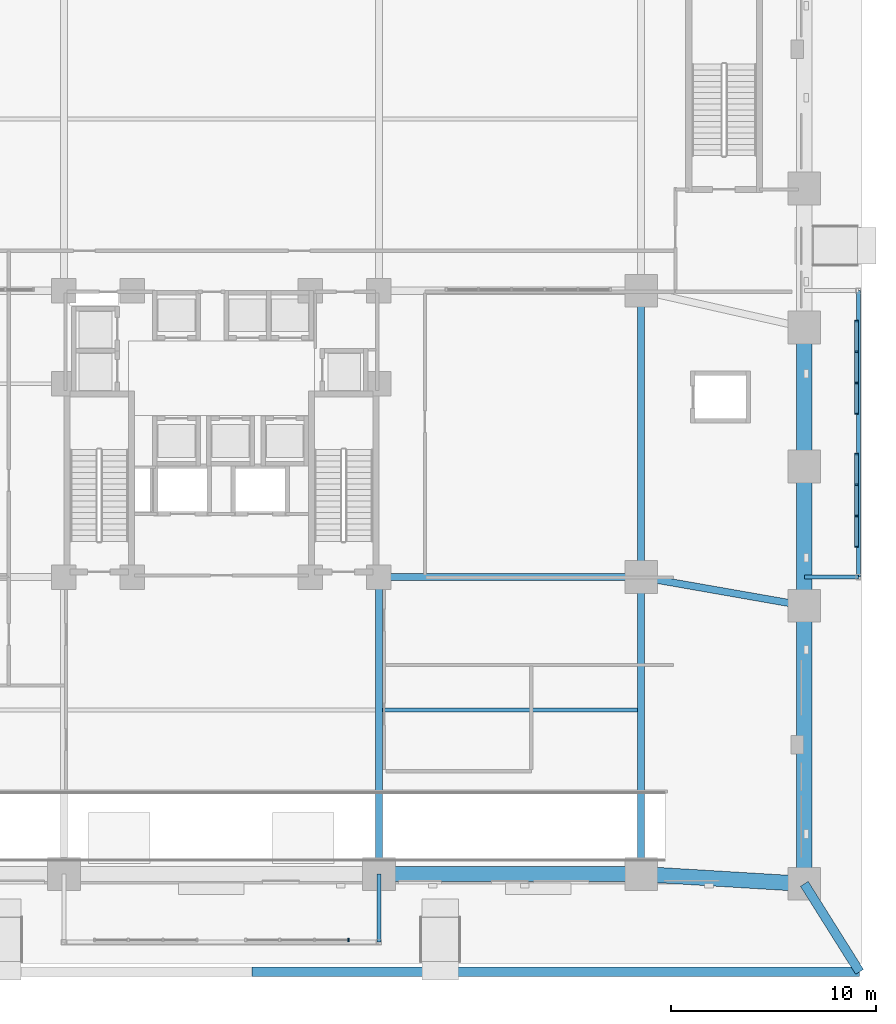
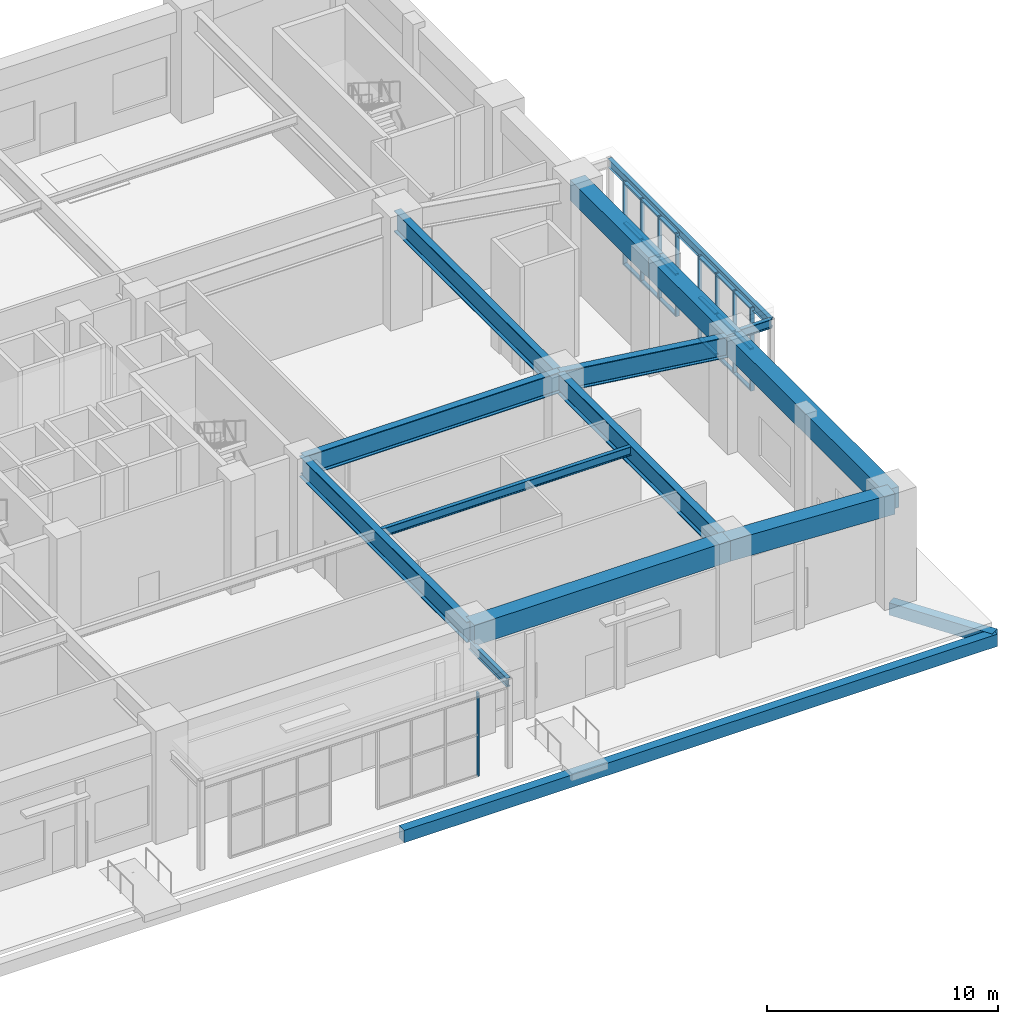
# One storey, part 8 of 24: 27 members, 16 beams, 3 elements without a shape of their own.
"""IFC4 building model written with IfcOpenShell, lengths in metres."""

from ifc_helpers import new_model, si_unit, derived_unit, direction, frame, origin, origin_2d, place, context, subcontext, project, spatial, rectangle, i_section, extrude, material, material_profile, profile_set, type_object, element, aggregate, save


model = new_model("IFC4")

# Units and contexts
model_context = context("Model", 3, precision=1e-05, world=origin(), true_north=direction((0.0, 1.0)))
body_context = subcontext(model_context, "Body", "Model", "MODEL_VIEW")
ifc_project = project(units=[si_unit("LENGTHUNIT", "METRE"), si_unit("AREAUNIT", "SQUARE_METRE"), si_unit("VOLUMEUNIT", "CUBIC_METRE"), si_unit("PLANEANGLEUNIT", "RADIAN"), si_unit("MASSUNIT", "GRAM", prefix="KILO"), derived_unit("THERMALTRANSMITTANCEUNIT", [(si_unit("MASSUNIT", "GRAM", prefix="KILO"), 1), (si_unit("TIMEUNIT", "SECOND"), -3), (si_unit("THERMODYNAMICTEMPERATUREUNIT", "KELVIN"), -1)])], contexts=[model_context])

# Site, building, storey
site_placement = place(None, origin())
site = spatial("IfcSite", under=ifc_project, at=site_placement, CompositionType="ELEMENT")
building_placement = place(site_placement, origin())
building = spatial("IfcBuilding", under=site, at=building_placement, Name="Korrvale Station Residences", CompositionType="ELEMENT")
storey_placement = place(building_placement, origin())
storey = spatial("IfcBuildingStorey", under=building, at=storey_placement, Name="L00", CompositionType="ELEMENT", Elevation=0.0)

# Beams
ifc_material_1 = material(Name="Concrete C50/60", Category="concrete")
ifc_material_profile_1 = material_profile(ifc_material_1, rectangle(XDim=0.449951171875, YDim=0.64990234375, at=origin_2d()), Name="RCB450x650")
ifc_profile_set_1 = profile_set([ifc_material_profile_1], Name="Concrete C50/60")
beam_type_1 = type_object("IfcBeamType", Name="BM-BM-RCB450x650-C5060", PredefinedType="BEAM", material=ifc_profile_set_1)
beam_1_placement = place(storey_placement, frame((27.0, -4.300048828125, -0.52490234375), z_axis=(1.0, 0.0, 0.0), x_axis=(0.0, 1.0, 0.0)))
element("IfcBeam", 1, at=beam_1_placement, inside=storey, type_object=beam_type_1, Name="L00 Station Forecourt Edge Beam 2", PredefinedType="BEAM", context=body_context, shape_type="SweptSolid", body=[
    extrude(rectangle(XDim=0.449951171875, YDim=0.64990234375, at=origin_2d()), origin(), (0.0, 0.0, 1.0), 29.699951171875),
])
beam_2_placement = place(storey_placement, frame((56.699951171875, -4.300048828125, -0.52490234375), z_axis=(-0.53175690427, 0.846897039055, 0.0), x_axis=(-0.846897039055, -0.53175690427, 0.0)))
element("IfcBeam", 2, at=beam_2_placement, inside=storey, type_object=beam_type_1, Name="L00 Station Forecourt Edge Beam 6", PredefinedType="BEAM", context=body_context, shape_type="SweptSolid", body=[
    extrude(rectangle(XDim=0.449951171875, YDim=0.64990234375, at=origin_2d()), origin(), (0.0, 0.0, 1.0), 5.077392578125),
])
ifc_material_2 = material(Name="Steel S355", Category="steel")
ifc_material_profile_2 = material_profile(ifc_material_2, i_section(OverallWidth=0.194091796875, OverallDepth=0.468994140625, WebThickness=0.0126953125, FlangeThickness=0.0205078125, FilletRadius=0.01611328125, at=origin_2d()), Name="W460x106")
ifc_profile_set_2 = profile_set([ifc_material_profile_2], Name="Steel S355")
beam_type_2 = type_object("IfcBeamType", Name="BM-BM-W460x106-S355", PredefinedType="BEAM", material=ifc_profile_set_2)
beam_3_placement = place(storey_placement, frame((33.199951171875, 0.47998046875, 4.4599609375), z_axis=(0.0, -1.0, 0.0), x_axis=(1.0, 0.0, 0.0)))
element("IfcBeam", 3, at=beam_3_placement, inside=storey, type_object=beam_type_2, Name="South Canopy Support Beam 2", PredefinedType="BEAM", context=body_context, shape_type="SweptSolid", body=[
    extrude(i_section(OverallWidth=0.194091796875, OverallDepth=0.468994140625, WebThickness=0.0126953125, FlangeThickness=0.0205078125, FilletRadius=0.01611328125, at=origin_2d()), origin(), (0.0, 0.0, 1.0), 3.330078125),
])
beam_4_placement = place(storey_placement, frame((54.0, 15.0, 4.4599609375), z_axis=(1.0, 0.0, 0.0), x_axis=(0.0, 1.0, 0.0)))
element("IfcBeam", 4, at=beam_4_placement, inside=storey, type_object=beam_type_2, Name="East Canopy Support Beam 1", PredefinedType="BEAM", context=body_context, shape_type="SweptSolid", body=[
    extrude(i_section(OverallWidth=0.194091796875, OverallDepth=0.468994140625, WebThickness=0.0126953125, FlangeThickness=0.0205078125, FilletRadius=0.01611328125, at=origin_2d()), origin(), (0.0, 0.0, 1.0), 2.64990234375),
])
beam_5_placement = place(storey_placement, frame((56.64990234375, 15.0, 4.4599609375), z_axis=(0.0, 1.0, 0.0), x_axis=(-1.0, 0.0, 0.0)))
element("IfcBeam", 5, at=beam_5_placement, inside=storey, type_object=beam_type_2, Name="East Canopy Edge Tie Beam", PredefinedType="BEAM", context=body_context, shape_type="SweptSolid", body=[
    extrude(i_section(OverallWidth=0.194091796875, OverallDepth=0.468994140625, WebThickness=0.0126953125, FlangeThickness=0.0205078125, FilletRadius=0.01611328125, at=origin_2d()), origin(), (0.0, 0.0, 1.0), 14.0),
])
ifc_material_profile_3 = material_profile(ifc_material_2, i_section(OverallWidth=0.35009765625, OverallDepth=1.10009765625, WebThickness=0.01611328125, FlangeThickness=0.034912109375, FilletRadius=0.01806640625, at=origin_2d()), Name="WWF1100x351")
ifc_profile_set_3 = profile_set([ifc_material_profile_3], Name="Steel S355")
beam_type_3 = type_object("IfcBeamType", Name="BM-BM-WWF1100x351-S355", PredefinedType="BEAM", material=ifc_profile_set_3)
beam_6_placement = place(storey_placement, frame((46.02001953125, 0.47998046875, 5.1298828125), z_axis=(0.0, 1.0, 0.0), x_axis=(-1.0, 0.0, 0.0)))
element("IfcBeam", 6, at=beam_6_placement, inside=storey, type_object=beam_type_3, Name="L00 Station Primary Girder 04", PredefinedType="BEAM", context=body_context, shape_type="SweptSolid", body=[
    extrude(i_section(OverallWidth=0.35009765625, OverallDepth=1.10009765625, WebThickness=0.01611328125, FlangeThickness=0.034912109375, FilletRadius=0.01806640625, at=origin_2d()), origin(), (0.0, 0.0, 1.0), 14.52001953125),
])
beam_7_placement = place(storey_placement, frame((46.02001953125, 15.0, 5.1298828125), z_axis=(0.0, 1.0, 0.0), x_axis=(-1.0, 0.0, 0.0)))
element("IfcBeam", 7, at=beam_7_placement, inside=storey, type_object=beam_type_3, Name="L00 Station Primary Girder 05", PredefinedType="BEAM", context=body_context, shape_type="SweptSolid", body=[
    extrude(i_section(OverallWidth=0.35009765625, OverallDepth=1.10009765625, WebThickness=0.01611328125, FlangeThickness=0.034912109375, FilletRadius=0.01806640625, at=origin_2d()), origin(), (0.0, 0.0, 1.0), 14.0),
])
beam_8_placement = place(storey_placement, frame((46.02001953125, 15.0, 5.1298828125), z_axis=(0.98495900412, -0.172788194628, 0.0), x_axis=(0.172788194628, 0.98495900412, 0.0)))
element("IfcBeam", 8, at=beam_8_placement, inside=storey, type_object=beam_type_3, Name="L00 Station Primary Girder 13", PredefinedType="BEAM", context=body_context, shape_type="SweptSolid", body=[
    extrude(i_section(OverallWidth=0.35009765625, OverallDepth=1.10009765625, WebThickness=0.01611328125, FlangeThickness=0.034912109375, FilletRadius=0.01806640625, at=origin_2d()), origin(), (0.0, 0.0, 1.0), 8.101806640625),
])
beam_9_placement = place(storey_placement, frame((33.199951171875, 15.0, 5.1298828125), z_axis=(1.0, 0.0, 0.0), x_axis=(0.0, 1.0, 0.0)))
element("IfcBeam", 9, at=beam_9_placement, inside=storey, type_object=beam_type_3, Name="L00 Station Primary Girder 15", PredefinedType="BEAM", context=body_context, shape_type="SweptSolid", body=[
    extrude(i_section(OverallWidth=0.35009765625, OverallDepth=1.10009765625, WebThickness=0.01611328125, FlangeThickness=0.034912109375, FilletRadius=0.01806640625, at=origin_2d()), origin(), (0.0, 0.0, 1.0), 12.820068359375),
])
beam_10_placement = place(storey_placement, frame((33.199951171875, 0.47998046875, 5.1298828125), z_axis=(0.0, 1.0, 0.0), x_axis=(-1.0, 0.0, 0.0)))
element("IfcBeam", 10, at=beam_10_placement, inside=storey, type_object=beam_type_3, Name="L00 Station Primary Girder 18", PredefinedType="BEAM", context=body_context, shape_type="SweptSolid", body=[
    extrude(i_section(OverallWidth=0.35009765625, OverallDepth=1.10009765625, WebThickness=0.01611328125, FlangeThickness=0.034912109375, FilletRadius=0.01806640625, at=origin_2d()), origin(), (0.0, 0.0, 1.0), 14.52001953125),
])
ifc_material_profile_4 = material_profile(ifc_material_2, i_section(OverallWidth=0.18994140625, OverallDepth=0.45703125, WebThickness=0.009033203125, FlangeThickness=0.014404296875, FilletRadius=0.01611328125, at=origin_2d()), Name="W460x74")
ifc_profile_set_4 = profile_set([ifc_material_profile_4], Name="Steel S355")
beam_type_4 = type_object("IfcBeamType", Name="BM-JST-W460x74-S355", PredefinedType="JOIST", material=ifc_profile_set_4)
beam_11_placement = place(storey_placement, frame((33.375, 8.5, 5.451416015625), z_axis=(1.0, 0.0, 0.0), x_axis=(0.0, 1.0, 0.0)))
element("IfcBeam", 11, at=beam_11_placement, inside=storey, type_object=beam_type_4, Name="L00 Station Floor Joist 07", PredefinedType="JOIST", context=body_context, shape_type="SweptSolid", body=[
    extrude(i_section(OverallWidth=0.18994140625, OverallDepth=0.45703125, WebThickness=0.009033203125, FlangeThickness=0.014404296875, FilletRadius=0.01611328125, at=origin_2d()), origin(), (0.0, 0.0, 1.0), 12.469970703125),
])
ifc_material_3 = material(Name="Concrete C70/85", Category="concrete")
ifc_material_profile_5 = material_profile(ifc_material_3, rectangle(XDim=0.75, YDim=1.10009765625, at=origin_2d()), Name="RCB750x1100")
ifc_profile_set_5 = profile_set([ifc_material_profile_5], Name="Concrete C70/85")
beam_type_5 = type_object("IfcBeamType", Name="BM-SPB-RCB750x1100-C7085", PredefinedType="SPANDREL", material=ifc_profile_set_5)
beam_12_placement = place(storey_placement, frame((54.0, 0.0, 5.1298828125), z_axis=(0.0, 1.0, 0.0), x_axis=(-1.0, 0.0, 0.0)))
element("IfcBeam", 12, at=beam_12_placement, inside=storey, type_object=beam_type_5, Name="L00 Station Spandrel Beam 06", PredefinedType="SPANDREL", context=body_context, shape_type="SweptSolid", body=[
    extrude(rectangle(XDim=0.75, YDim=1.10009765625, at=origin_2d()), origin(), (0.0, 0.0, 1.0), 13.60009765625),
])
beam_13_placement = place(storey_placement, frame((54.0, 13.60009765625, 5.1298828125), z_axis=(0.0, 1.0, 0.0), x_axis=(-1.0, 0.0, 0.0)))
element("IfcBeam", 13, at=beam_13_placement, inside=storey, type_object=beam_type_5, Name="L00 Station Spandrel Beam 07", PredefinedType="SPANDREL", context=body_context, shape_type="SweptSolid", body=[
    extrude(rectangle(XDim=0.75, YDim=1.10009765625, at=origin_2d()), origin(), (0.0, 0.0, 1.0), 6.7998046875),
])
beam_14_placement = place(storey_placement, frame((54.0, 20.39990234375, 5.1298828125), z_axis=(0.0, 1.0, 0.0), x_axis=(-1.0, 0.0, 0.0)))
element("IfcBeam", 14, at=beam_14_placement, inside=storey, type_object=beam_type_5, Name="L00 Station Spandrel Beam 08", PredefinedType="SPANDREL", context=body_context, shape_type="SweptSolid", body=[
    extrude(rectangle(XDim=0.75, YDim=1.10009765625, at=origin_2d()), origin(), (0.0, 0.0, 1.0), 6.800048828125),
])
beam_15_placement = place(storey_placement, frame((33.199951171875, 0.47998046875, 5.1298828125), z_axis=(1.0, 0.0, 0.0), x_axis=(0.0, 1.0, 0.0)))
element("IfcBeam", 15, at=beam_15_placement, inside=storey, type_object=beam_type_5, Name="L00 Station Spandrel Beam 14", PredefinedType="SPANDREL", context=body_context, shape_type="SweptSolid", body=[
    extrude(rectangle(XDim=0.75, YDim=1.10009765625, at=origin_2d()), origin(), (0.0, 0.0, 1.0), 12.820068359375),
])
beam_16_placement = place(storey_placement, frame((46.02001953125, 0.47998046875, 5.1298828125), z_axis=(0.998195997903, -0.060039568374, 0.0), x_axis=(0.060039568374, 0.998195997903, 0.0)))
element("IfcBeam", 16, at=beam_16_placement, inside=storey, type_object=beam_type_5, Name="L00 Station Spandrel Beam 15", PredefinedType="SPANDREL", context=body_context, shape_type="SweptSolid", body=[
    extrude(rectangle(XDim=0.75, YDim=1.10009765625, at=origin_2d()), origin(), (0.0, 0.0, 1.0), 7.994384765625),
])

# Curtain wall, member
ifc_material_4 = material(Name="Unitised thermally broken aluminium curtain wall with triple low-e IGU", Category="aluminium")
curtain_wall_type = type_object("IfcCurtainWallType", Name="CW-STN-ENT", PredefinedType="NOTDEFINED", material=ifc_material_4)
curtain_wall_1_placement = place(storey_placement, origin())
curtain_wall_1 = element("IfcCurtainWall", 17, at=curtain_wall_1_placement, inside=storey, type_object=curtain_wall_type, Name="L00 Curtain Wall CW1-RUN-2", PredefinedType="NOTDEFINED")
ifc_material_5 = material(Name="Extruded thermally broken aluminium mullion", Category="aluminium")
member_type_1 = type_object("IfcMemberType", Name="CW-STN-ENT-M", PredefinedType="MULLION", material=ifc_material_5)
member_1_placement = place(storey_placement, frame((31.70751953125, -2.75, 0.0), z_axis=(0.0, 0.0, 1.0), x_axis=(1.0, 0.0, 0.0)))
member_1 = element("IfcMember", 18, at=member_1_placement, type_object=member_type_1, Name="CW-STN-ENT Mullion 4", PredefinedType="MULLION", context=body_context, shape_type="SweptSolid", body=[
    extrude(rectangle(XDim=0.0849609375, YDim=0.179931640625, at=origin_2d()), origin(), (0.0, 0.0, 1.0), 4.39990234375),
])
aggregate(curtain_wall_1, [member_1])

# Curtain wall, members
curtain_wall_2_placement = place(storey_placement, origin())
curtain_wall_2 = element("IfcCurtainWall", 19, at=curtain_wall_2_placement, inside=storey, type_object=curtain_wall_type, Name="L00 Curtain Wall CW1-RUN-3", PredefinedType="NOTDEFINED")
member_2_placement = place(storey_placement, frame((56.550048828125, 16.492431640625, 0.0), z_axis=(0.0, 0.0, 1.0), x_axis=(0.0, 1.0, 0.0)))
member_2 = element("IfcMember", 20, at=member_2_placement, type_object=member_type_1, Name="CW-STN-ENT Mullion 1", PredefinedType="MULLION", context=body_context, shape_type="SweptSolid", body=[
    extrude(rectangle(XDim=0.0849609375, YDim=0.179931640625, at=origin_2d()), origin(), (0.0, 0.0, 1.0), 4.39990234375),
])
member_3_placement = place(storey_placement, frame((56.550048828125, 17.9833984375, 0.0), z_axis=(0.0, 0.0, 1.0), x_axis=(0.0, 1.0, 0.0)))
member_3 = element("IfcMember", 21, at=member_3_placement, type_object=member_type_1, Name="CW-STN-ENT Mullion 2", PredefinedType="MULLION", context=body_context, shape_type="SweptSolid", body=[
    extrude(rectangle(XDim=0.0849609375, YDim=0.179931640625, at=origin_2d()), origin(), (0.0, 0.0, 1.0), 4.39990234375),
])
member_4_placement = place(storey_placement, frame((56.550048828125, 19.5166015625, 0.0), z_axis=(0.0, 0.0, 1.0), x_axis=(0.0, 1.0, 0.0)))
member_4 = element("IfcMember", 22, at=member_4_placement, type_object=member_type_1, Name="CW-STN-ENT Mullion 3", PredefinedType="MULLION", context=body_context, shape_type="SweptSolid", body=[
    extrude(rectangle(XDim=0.0849609375, YDim=0.179931640625, at=origin_2d()), origin(), (0.0, 0.0, 1.0), 4.39990234375),
])
member_5_placement = place(storey_placement, frame((56.550048828125, 21.007568359375, 0.0), z_axis=(0.0, 0.0, 1.0), x_axis=(0.0, 1.0, 0.0)))
member_5 = element("IfcMember", 23, at=member_5_placement, type_object=member_type_1, Name="CW-STN-ENT Mullion 4", PredefinedType="MULLION", context=body_context, shape_type="SweptSolid", body=[
    extrude(rectangle(XDim=0.0849609375, YDim=0.179931640625, at=origin_2d()), origin(), (0.0, 0.0, 1.0), 4.39990234375),
])

curtain_wall_3_placement = place(storey_placement, origin())
curtain_wall_3 = element("IfcCurtainWall", 24, at=curtain_wall_3_placement, inside=storey, type_object=curtain_wall_type, Name="L00 Curtain Wall CW1-RUN-4", PredefinedType="NOTDEFINED")
member_6_placement = place(storey_placement, frame((56.550048828125, 22.992431640625, 0.0), z_axis=(0.0, 0.0, 1.0), x_axis=(0.0, 1.0, 0.0)))
member_6 = element("IfcMember", 25, at=member_6_placement, type_object=member_type_1, Name="CW-STN-ENT Mullion 1", PredefinedType="MULLION", context=body_context, shape_type="SweptSolid", body=[
    extrude(rectangle(XDim=0.0849609375, YDim=0.179931640625, at=origin_2d()), origin(), (0.0, 0.0, 1.0), 4.39990234375),
])
member_7_placement = place(storey_placement, frame((56.550048828125, 24.4833984375, 0.0), z_axis=(0.0, 0.0, 1.0), x_axis=(0.0, 1.0, 0.0)))
member_7 = element("IfcMember", 26, at=member_7_placement, type_object=member_type_1, Name="CW-STN-ENT Mullion 2", PredefinedType="MULLION", context=body_context, shape_type="SweptSolid", body=[
    extrude(rectangle(XDim=0.0849609375, YDim=0.179931640625, at=origin_2d()), origin(), (0.0, 0.0, 1.0), 4.39990234375),
])
member_8_placement = place(storey_placement, frame((56.550048828125, 26.0166015625, 0.0), z_axis=(0.0, 0.0, 1.0), x_axis=(0.0, 1.0, 0.0)))
member_8 = element("IfcMember", 27, at=member_8_placement, type_object=member_type_1, Name="CW-STN-ENT Mullion 3", PredefinedType="MULLION", context=body_context, shape_type="SweptSolid", body=[
    extrude(rectangle(XDim=0.0849609375, YDim=0.179931640625, at=origin_2d()), origin(), (0.0, 0.0, 1.0), 4.39990234375),
])
member_9_placement = place(storey_placement, frame((56.550048828125, 27.507568359375, 0.0), z_axis=(0.0, 0.0, 1.0), x_axis=(0.0, 1.0, 0.0)))
member_9 = element("IfcMember", 28, at=member_9_placement, type_object=member_type_1, Name="CW-STN-ENT Mullion 4", PredefinedType="MULLION", context=body_context, shape_type="SweptSolid", body=[
    extrude(rectangle(XDim=0.0849609375, YDim=0.179931640625, at=origin_2d()), origin(), (0.0, 0.0, 1.0), 4.39990234375),
])

# Member
ifc_material_6 = material(Name="Extruded thermally broken aluminium transom", Category="aluminium")
member_type_2 = type_object("IfcMemberType", Name="CW-STN-ENT-T", PredefinedType="USERDEFINED", material=ifc_material_6)
member_10_placement = place(storey_placement, frame((56.550048828125, 17.216796875, 0.0), z_axis=(0.0, 0.0, 1.0), x_axis=(0.0, 1.0, 0.0)))
member_10 = element("IfcMember", 29, at=member_10_placement, type_object=member_type_2, Name="CW-STN-ENT Transom 1-1", ObjectType="TRANSOM", PredefinedType="USERDEFINED", context=body_context, shape_type="SweptSolid", body=[
    extrude(rectangle(XDim=1.4482421875, YDim=0.179931640625, at=origin_2d()), origin(), (0.0, 0.0, 1.0), 0.0849609375),
])

member_11_placement = place(storey_placement, frame((56.550048828125, 17.216796875, 2.157470703125), z_axis=(0.0, 0.0, 1.0), x_axis=(0.0, 1.0, 0.0)))
member_11 = element("IfcMember", 30, at=member_11_placement, type_object=member_type_2, Name="CW-STN-ENT Transom 1-2", ObjectType="TRANSOM", PredefinedType="USERDEFINED", context=body_context, shape_type="SweptSolid", body=[
    extrude(rectangle(XDim=1.4482421875, YDim=0.179931640625, at=origin_2d()), origin(), (0.0, 0.0, 1.0), 0.0849609375),
])

member_12_placement = place(storey_placement, frame((56.550048828125, 17.216796875, 4.31494140625), z_axis=(0.0, 0.0, 1.0), x_axis=(0.0, 1.0, 0.0)))
member_12 = element("IfcMember", 31, at=member_12_placement, type_object=member_type_2, Name="CW-STN-ENT Transom 1-3", ObjectType="TRANSOM", PredefinedType="USERDEFINED", context=body_context, shape_type="SweptSolid", body=[
    extrude(rectangle(XDim=1.4482421875, YDim=0.179931640625, at=origin_2d()), origin(), (0.0, 0.0, 1.0), 0.0849609375),
])

member_13_placement = place(storey_placement, frame((56.550048828125, 18.75, 0.0), z_axis=(0.0, 0.0, 1.0), x_axis=(0.0, 1.0, 0.0)))
member_13 = element("IfcMember", 32, at=member_13_placement, type_object=member_type_2, Name="CW-STN-ENT Transom 2-1", ObjectType="TRANSOM", PredefinedType="USERDEFINED", context=body_context, shape_type="SweptSolid", body=[
    extrude(rectangle(XDim=1.4482421875, YDim=0.179931640625, at=origin_2d()), origin(), (0.0, 0.0, 1.0), 0.0849609375),
])

member_14_placement = place(storey_placement, frame((56.550048828125, 18.75, 2.157470703125), z_axis=(0.0, 0.0, 1.0), x_axis=(0.0, 1.0, 0.0)))
member_14 = element("IfcMember", 33, at=member_14_placement, type_object=member_type_2, Name="CW-STN-ENT Transom 2-2", ObjectType="TRANSOM", PredefinedType="USERDEFINED", context=body_context, shape_type="SweptSolid", body=[
    extrude(rectangle(XDim=1.4482421875, YDim=0.179931640625, at=origin_2d()), origin(), (0.0, 0.0, 1.0), 0.0849609375),
])

member_15_placement = place(storey_placement, frame((56.550048828125, 18.75, 4.31494140625), z_axis=(0.0, 0.0, 1.0), x_axis=(0.0, 1.0, 0.0)))
member_15 = element("IfcMember", 34, at=member_15_placement, type_object=member_type_2, Name="CW-STN-ENT Transom 2-3", ObjectType="TRANSOM", PredefinedType="USERDEFINED", context=body_context, shape_type="SweptSolid", body=[
    extrude(rectangle(XDim=1.4482421875, YDim=0.179931640625, at=origin_2d()), origin(), (0.0, 0.0, 1.0), 0.0849609375),
])

member_16_placement = place(storey_placement, frame((56.550048828125, 20.283203125, 0.0), z_axis=(0.0, 0.0, 1.0), x_axis=(0.0, 1.0, 0.0)))
member_16 = element("IfcMember", 35, at=member_16_placement, type_object=member_type_2, Name="CW-STN-ENT Transom 3-1", ObjectType="TRANSOM", PredefinedType="USERDEFINED", context=body_context, shape_type="SweptSolid", body=[
    extrude(rectangle(XDim=1.4482421875, YDim=0.179931640625, at=origin_2d()), origin(), (0.0, 0.0, 1.0), 0.0849609375),
])

member_17_placement = place(storey_placement, frame((56.550048828125, 20.283203125, 2.157470703125), z_axis=(0.0, 0.0, 1.0), x_axis=(0.0, 1.0, 0.0)))
member_17 = element("IfcMember", 36, at=member_17_placement, type_object=member_type_2, Name="CW-STN-ENT Transom 3-2", ObjectType="TRANSOM", PredefinedType="USERDEFINED", context=body_context, shape_type="SweptSolid", body=[
    extrude(rectangle(XDim=1.4482421875, YDim=0.179931640625, at=origin_2d()), origin(), (0.0, 0.0, 1.0), 0.0849609375),
])

member_18_placement = place(storey_placement, frame((56.550048828125, 20.283203125, 4.31494140625), z_axis=(0.0, 0.0, 1.0), x_axis=(0.0, 1.0, 0.0)))
member_18 = element("IfcMember", 37, at=member_18_placement, type_object=member_type_2, Name="CW-STN-ENT Transom 3-3", ObjectType="TRANSOM", PredefinedType="USERDEFINED", context=body_context, shape_type="SweptSolid", body=[
    extrude(rectangle(XDim=1.4482421875, YDim=0.179931640625, at=origin_2d()), origin(), (0.0, 0.0, 1.0), 0.0849609375),
])

aggregate(curtain_wall_2, [member_2, member_3, member_4, member_5, member_10, member_11, member_12, member_13, member_14, member_15, member_16, member_17, member_18])

member_19_placement = place(storey_placement, frame((56.550048828125, 23.716796875, 0.0), z_axis=(0.0, 0.0, 1.0), x_axis=(0.0, 1.0, 0.0)))
member_19 = element("IfcMember", 38, at=member_19_placement, type_object=member_type_2, Name="CW-STN-ENT Transom 1-1", ObjectType="TRANSOM", PredefinedType="USERDEFINED", context=body_context, shape_type="SweptSolid", body=[
    extrude(rectangle(XDim=1.4482421875, YDim=0.179931640625, at=origin_2d()), origin(), (0.0, 0.0, 1.0), 0.0849609375),
])

member_20_placement = place(storey_placement, frame((56.550048828125, 23.716796875, 2.157470703125), z_axis=(0.0, 0.0, 1.0), x_axis=(0.0, 1.0, 0.0)))
member_20 = element("IfcMember", 39, at=member_20_placement, type_object=member_type_2, Name="CW-STN-ENT Transom 1-2", ObjectType="TRANSOM", PredefinedType="USERDEFINED", context=body_context, shape_type="SweptSolid", body=[
    extrude(rectangle(XDim=1.4482421875, YDim=0.179931640625, at=origin_2d()), origin(), (0.0, 0.0, 1.0), 0.0849609375),
])

member_21_placement = place(storey_placement, frame((56.550048828125, 23.716796875, 4.31494140625), z_axis=(0.0, 0.0, 1.0), x_axis=(0.0, 1.0, 0.0)))
member_21 = element("IfcMember", 40, at=member_21_placement, type_object=member_type_2, Name="CW-STN-ENT Transom 1-3", ObjectType="TRANSOM", PredefinedType="USERDEFINED", context=body_context, shape_type="SweptSolid", body=[
    extrude(rectangle(XDim=1.4482421875, YDim=0.179931640625, at=origin_2d()), origin(), (0.0, 0.0, 1.0), 0.0849609375),
])

member_22_placement = place(storey_placement, frame((56.550048828125, 25.25, 0.0), z_axis=(0.0, 0.0, 1.0), x_axis=(0.0, 1.0, 0.0)))
member_22 = element("IfcMember", 41, at=member_22_placement, type_object=member_type_2, Name="CW-STN-ENT Transom 2-1", ObjectType="TRANSOM", PredefinedType="USERDEFINED", context=body_context, shape_type="SweptSolid", body=[
    extrude(rectangle(XDim=1.4482421875, YDim=0.179931640625, at=origin_2d()), origin(), (0.0, 0.0, 1.0), 0.0849609375),
])

member_23_placement = place(storey_placement, frame((56.550048828125, 25.25, 2.157470703125), z_axis=(0.0, 0.0, 1.0), x_axis=(0.0, 1.0, 0.0)))
member_23 = element("IfcMember", 42, at=member_23_placement, type_object=member_type_2, Name="CW-STN-ENT Transom 2-2", ObjectType="TRANSOM", PredefinedType="USERDEFINED", context=body_context, shape_type="SweptSolid", body=[
    extrude(rectangle(XDim=1.4482421875, YDim=0.179931640625, at=origin_2d()), origin(), (0.0, 0.0, 1.0), 0.0849609375),
])

member_24_placement = place(storey_placement, frame((56.550048828125, 25.25, 4.31494140625), z_axis=(0.0, 0.0, 1.0), x_axis=(0.0, 1.0, 0.0)))
member_24 = element("IfcMember", 43, at=member_24_placement, type_object=member_type_2, Name="CW-STN-ENT Transom 2-3", ObjectType="TRANSOM", PredefinedType="USERDEFINED", context=body_context, shape_type="SweptSolid", body=[
    extrude(rectangle(XDim=1.4482421875, YDim=0.179931640625, at=origin_2d()), origin(), (0.0, 0.0, 1.0), 0.0849609375),
])

member_25_placement = place(storey_placement, frame((56.550048828125, 26.783203125, 0.0), z_axis=(0.0, 0.0, 1.0), x_axis=(0.0, 1.0, 0.0)))
member_25 = element("IfcMember", 44, at=member_25_placement, type_object=member_type_2, Name="CW-STN-ENT Transom 3-1", ObjectType="TRANSOM", PredefinedType="USERDEFINED", context=body_context, shape_type="SweptSolid", body=[
    extrude(rectangle(XDim=1.4482421875, YDim=0.179931640625, at=origin_2d()), origin(), (0.0, 0.0, 1.0), 0.0849609375),
])

member_26_placement = place(storey_placement, frame((56.550048828125, 26.783203125, 2.157470703125), z_axis=(0.0, 0.0, 1.0), x_axis=(0.0, 1.0, 0.0)))
member_26 = element("IfcMember", 45, at=member_26_placement, type_object=member_type_2, Name="CW-STN-ENT Transom 3-2", ObjectType="TRANSOM", PredefinedType="USERDEFINED", context=body_context, shape_type="SweptSolid", body=[
    extrude(rectangle(XDim=1.4482421875, YDim=0.179931640625, at=origin_2d()), origin(), (0.0, 0.0, 1.0), 0.0849609375),
])

member_27_placement = place(storey_placement, frame((56.550048828125, 26.783203125, 4.31494140625), z_axis=(0.0, 0.0, 1.0), x_axis=(0.0, 1.0, 0.0)))
member_27 = element("IfcMember", 46, at=member_27_placement, type_object=member_type_2, Name="CW-STN-ENT Transom 3-3", ObjectType="TRANSOM", PredefinedType="USERDEFINED", context=body_context, shape_type="SweptSolid", body=[
    extrude(rectangle(XDim=1.4482421875, YDim=0.179931640625, at=origin_2d()), origin(), (0.0, 0.0, 1.0), 0.0849609375),
])

aggregate(curtain_wall_3, [member_6, member_7, member_8, member_9, member_19, member_20, member_21, member_22, member_23, member_24, member_25, member_26, member_27])

save(model, "model.ifc")
